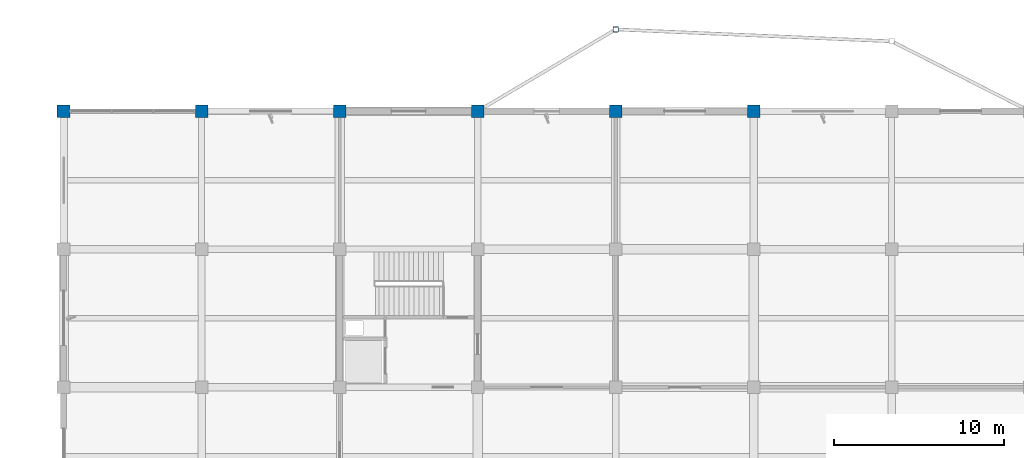
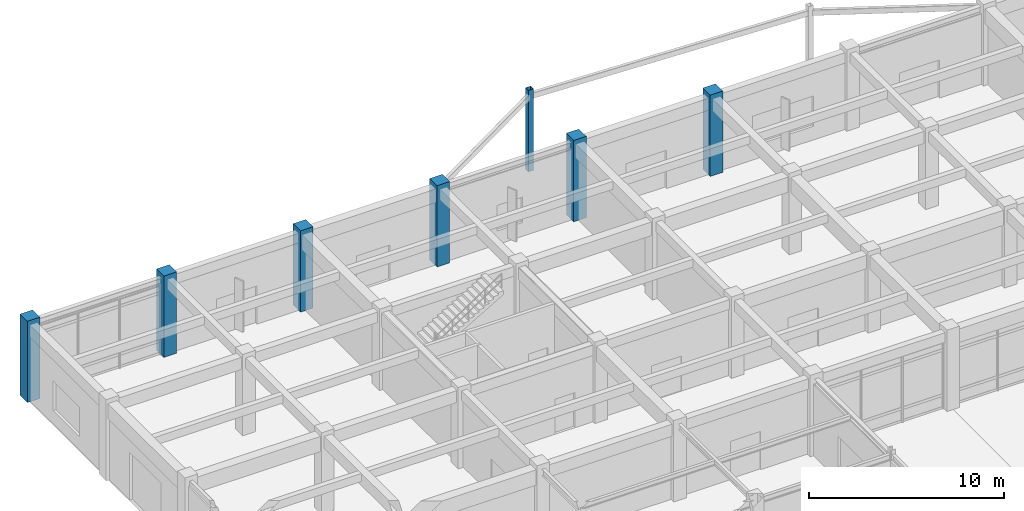
# One storey, part 18 of 99: 7 columns.
"""IFC4 building model written with IfcOpenShell, lengths in metres."""

import ifcopenshell
import ifcopenshell.guid

model = None  # the IFC model being written
_history = None  # IfcOwnerHistory: only IFC2X3 demands one
_inside = {}  # id of a spatial element -> (the spatial element, [elements in it])
_under = {}  # id of a project, library or spatial element -> (it, [spatial elements below it])
_declared = {}  # id of a project -> (the project, [libraries it declares])
_typed = {}  # id of a type object -> (the type object, [elements of that type])
_made_of = {}  # id of a material, layer set ... -> (it, [elements and type objects made of it])


def new_model(schema):
    """Start an empty IFC model of exactly this schema.

    Asked for "IFC4X3", IfcOpenShell would pick the latest addendum, in which some entities
    have other attributes; the version numbers below select the first issue.
    IFC2X3 requires an IfcOwnerHistory on every rooted entity: one is made here for all.
    """
    global model, _history
    if schema == "IFC4X3":
        model = ifcopenshell.file(schema_version=(4, 3, 0, 0))
    else:
        model = ifcopenshell.file(schema=schema)
    _inside.clear()
    _under.clear()
    _declared.clear()
    _typed.clear()
    _made_of.clear()
    _history = None
    if model.schema == "IFC2X3":
        org = make("IfcOrganization", Name="unknown")
        user = make(
            "IfcPersonAndOrganization",
            ThePerson=make("IfcPerson", FamilyName="unknown"),
            TheOrganization=org,
        )
        app = make(
            "IfcApplication",
            ApplicationDeveloper=org,
            Version="unknown",
            ApplicationFullName="unknown",
            ApplicationIdentifier="unknown",
        )
        _history = make(
            "IfcOwnerHistory",
            OwningUser=user,
            OwningApplication=app,
            ChangeAction="ADDED",
            CreationDate=0,
        )
    return model


def make(cls, **values):
    """One entity of the class cls with the attributes given. An attribute that is None is left unset."""
    return model.create_entity(
        cls, **{name: value for name, value in values.items() if value is not None}
    )


def rooted(cls, **values):
    """An entity with a GlobalId (a new one), such as an element, a storey or a relation."""
    return make(cls, GlobalId=ifcopenshell.guid.new(), OwnerHistory=_history, **values)


def si_unit(unit_type, name, prefix=None):
    """IfcSIUnit, for example si_unit("LENGTHUNIT", "METRE", prefix="MILLI")."""
    return make("IfcSIUnit", UnitType=unit_type, Prefix=prefix, Name=name)


def assignment(units):
    """IfcUnitAssignment: the units of a project."""
    return None if units is None else make("IfcUnitAssignment", Units=units)


def point(xyz):
    """IfcCartesianPoint."""
    return None if xyz is None else make("IfcCartesianPoint", Coordinates=xyz)


def direction(xyz):
    """IfcDirection."""
    return None if xyz is None else make("IfcDirection", DirectionRatios=xyz)


def frame(location, z_axis=None, x_axis=None):
    """IfcAxis2Placement3D, a coordinate frame: its origin and axes. An axis left out is left unset."""
    return make(
        "IfcAxis2Placement3D",
        Location=point(location),
        Axis=direction(z_axis),
        RefDirection=direction(x_axis),
    )


def frame_2d(location, x_axis=None):
    """IfcAxis2Placement2D, a coordinate frame in the plane: its origin and x axis."""
    return make(
        "IfcAxis2Placement2D", Location=point(location), RefDirection=direction(x_axis)
    )


def origin():
    """The frame at (0, 0, 0) with its axes left unset."""
    return frame((0.0, 0.0, 0.0))


def origin_2d():
    """The frame at (0, 0) in the plane with its x axis left unset."""
    return frame_2d((0.0, 0.0))


def place(relative_to, where):
    """IfcLocalPlacement: puts the frame where relative to a parent placement (None: the world)."""
    return make(
        "IfcLocalPlacement", PlacementRelTo=relative_to, RelativePlacement=where
    )


def context(
    kind, dimensions, precision=None, world=None, true_north=None, identifier=None
):
    """IfcGeometricRepresentationContext, for example the 3D "Model" context."""
    return make(
        "IfcGeometricRepresentationContext",
        ContextIdentifier=identifier,
        ContextType=kind,
        CoordinateSpaceDimension=dimensions,
        Precision=precision,
        WorldCoordinateSystem=world,
        TrueNorth=true_north,
    )


def subcontext(parent, identifier, kind, view, scale=None):
    """IfcGeometricRepresentationSubContext, for example "Body" below "Model"."""
    return make(
        "IfcGeometricRepresentationSubContext",
        ContextIdentifier=identifier,
        ContextType=kind,
        ParentContext=parent,
        TargetScale=scale,
        TargetView=view,
    )


def project(units=None, contexts=None):
    """IfcProject with its units and contexts."""
    return rooted(
        "IfcProject",
        Name="project",
        RepresentationContexts=contexts,
        UnitsInContext=assignment(units),
    )


def spatial(cls, under=None, at=None, **own):
    """A site, building, storey or space (cls), placed at a placement, below another one or the project."""
    s = rooted(cls, ObjectPlacement=at, **own)
    if under is not None:
        _under.setdefault(under.id(), (under, []))[1].append(s)
    return s


def profile(cls, at=None, kind="AREA", **sizes):
    """A parametric profile (cls). Its sizes go by their IFC names, for example OverallWidth=200.0."""
    return make(cls, ProfileType=kind, Position=at, **sizes)


def rectangle(**sizes):
    """IfcRectangleProfileDef."""
    return profile("IfcRectangleProfileDef", **sizes)


def hollow_rectangle(**sizes):
    """IfcRectangleHollowProfileDef."""
    return profile("IfcRectangleHollowProfileDef", **sizes)


def extrude(swept, where, along, depth):
    """IfcExtrudedAreaSolid: the profile swept, set in the frame where, extruded along a direction by depth."""
    return make(
        "IfcExtrudedAreaSolid",
        SweptArea=swept,
        Position=where,
        ExtrudedDirection=direction(along),
        Depth=depth,
    )


def shape(context_of_items, identifier, shape_type, items):
    """IfcShapeRepresentation: the items that make up one representation, for example the "Body"."""
    return make(
        "IfcShapeRepresentation",
        ContextOfItems=context_of_items,
        RepresentationIdentifier=identifier,
        RepresentationType=shape_type,
        Items=items,
    )


def material(Name=None, Category=None):
    """IfcMaterial."""
    return make("IfcMaterial", Name=Name, Category=Category)


def material_profile(
    of_material, cross_section, Name=None, Category=None, Priority=None
):
    """IfcMaterialProfile: a cross section and its material."""
    return make(
        "IfcMaterialProfile",
        Name=Name,
        Material=of_material,
        Profile=cross_section,
        Priority=Priority,
        Category=Category,
    )


def profile_set(profiles, Name=None, composite=None):
    """IfcMaterialProfileSet."""
    return make(
        "IfcMaterialProfileSet",
        Name=Name,
        MaterialProfiles=profiles,
        CompositeProfile=composite,
    )


def made_of(thing, what):
    """Note that an element or type object is made of a material, layer set ...; save() writes the relation."""
    if what is not None:
        _made_of.setdefault(what.id(), (what, []))[1].append(thing)
    return thing


def type_object(cls, material=None, **own):
    """A type object (cls), such as IfcWallType, which elements share."""
    return made_of(rooted(cls, **own), material)


def element(
    cls,
    number,
    at=None,
    inside=None,
    cuts=None,
    type_object=None,
    material=None,
    context=None,
    identifier="Body",
    shape_type=None,
    held_by="IfcProductDefinitionShape",
    body=None,
    shapes=None,
    **own,
):
    """One element of the class cls, such as IfcWall. Its Tag is "e" and its number.

    at: its placement. inside: the storey or other place that contains it. cuts: it is an
    opening in that element (IfcRelVoidsElement). A single representation is given by context,
    identifier, shape_type and body (its items); several are given by shapes. held_by: the class
    of the entity that holds the representations. save() writes the other relations.
    """
    e = rooted(cls, Tag="e%d" % number, ObjectPlacement=at, **own)
    if body is not None:
        shapes = [shape(context, identifier, shape_type, body)]
    if shapes is not None:
        e.Representation = make(held_by, Representations=shapes)
    if inside is not None:
        _inside.setdefault(inside.id(), (inside, []))[1].append(e)
    if cuts is not None:
        rooted(
            "IfcRelVoidsElement", RelatingBuildingElement=cuts, RelatedOpeningElement=e
        )
    if type_object is not None:
        _typed.setdefault(type_object.id(), (type_object, []))[1].append(e)
    return made_of(e, material)


def aggregate(whole, parts):
    """IfcRelAggregates: a whole, such as a stair, and the parts it consists of."""
    return rooted("IfcRelAggregates", RelatingObject=whole, RelatedObjects=parts)


def save(model, path):
    """Write the relations noted so far, then the file.

    IfcRelAggregates (storeys below a building ...), IfcRelContainedInSpatialStructure (elements
    in a storey), IfcRelDefinesByType, IfcRelAssociatesMaterial and IfcRelDeclares: one each for
    every whole, place, type object, material and project.
    """
    for whole, parts in _under.values():
        aggregate(whole, parts)
    for where, things in _inside.values():
        rooted(
            "IfcRelContainedInSpatialStructure",
            RelatedElements=things,
            RelatingStructure=where,
        )
    for kind, things in _typed.values():
        rooted("IfcRelDefinesByType", RelatedObjects=things, RelatingType=kind)
    for what, things in _made_of.values():
        rooted("IfcRelAssociatesMaterial", RelatedObjects=things, RelatingMaterial=what)
    for by, libraries in _declared.values():
        rooted("IfcRelDeclares", RelatingContext=by, RelatedDefinitions=libraries)
    model.write(path)


model = new_model("IFC4")

# Units and contexts
model_context = context("Model", 3, precision=1e-05, world=origin(), true_north=direction((0.0, 1.0)))
body_context = subcontext(model_context, "Body", "Model", "MODEL_VIEW")
ifc_project = project(units=[si_unit("LENGTHUNIT", "METRE"), si_unit("AREAUNIT", "SQUARE_METRE"), si_unit("VOLUMEUNIT", "CUBIC_METRE"), si_unit("PLANEANGLEUNIT", "RADIAN"), si_unit("MASSUNIT", "GRAM", prefix="KILO")], contexts=[model_context])

# Site, building, storey
site_placement = place(None, origin())
site = spatial("IfcSite", under=ifc_project, at=site_placement, CompositionType="ELEMENT")
building_placement = place(site_placement, origin())
building = spatial("IfcBuilding", under=site, at=building_placement, Name="Vaudrelin Polytechnic", CompositionType="ELEMENT")
storey_placement = place(building_placement, origin())
storey = spatial("IfcBuildingStorey", under=building, at=storey_placement, Name="L00", CompositionType="ELEMENT", Elevation=0.0)

# Columns
ifc_material_1 = material(Name="Steel CSA G40.21 350WT", Category="steel")
ifc_material_profile_1 = material_profile(ifc_material_1, hollow_rectangle(XDim=0.304931640625, YDim=0.304931640625, WallThickness=0.0126953125, InnerFilletRadius=0.0126953125, OuterFilletRadius=0.025390625, at=origin_2d()), Name="HSS305x305x12.7")
ifc_profile_set_1 = profile_set([ifc_material_profile_1], Name="Steel CSA G40.21 350WT")
column_type_1 = type_object("IfcColumnType", Name="COL-C-HSS305", PredefinedType="COLUMN", material=ifc_profile_set_1)
column_placement = place(storey_placement, frame((32.39990234375, 126.300048828125, 0.0), z_axis=(0.0, 0.0, 1.0), x_axis=(1.0, 0.0, 0.0)))
element("IfcColumn", 1, at=column_placement, inside=storey, type_object=column_type_1, Name="Deconstructivist column L00 N_OR1_1", PredefinedType="COLUMN", context=body_context, shape_type="SweptSolid", body=[
    extrude(hollow_rectangle(XDim=0.304931640625, YDim=0.304931640625, WallThickness=0.0126953125, InnerFilletRadius=0.0126953125, OuterFilletRadius=0.025390625, at=origin_2d()), origin(), (0.0, 0.0, 1.0), 5.10009765625),
])
ifc_material_2 = material(Name="Concrete 50 MPa", Category="concrete")
ifc_material_profile_2 = material_profile(ifc_material_2, rectangle(XDim=0.75, YDim=0.75, at=origin_2d()), Name="RC750x750")
ifc_profile_set_2 = profile_set([ifc_material_profile_2], Name="Concrete 50 MPa")
column_type_2 = type_object("IfcColumnType", Name="COL-C-RC750", PredefinedType="COLUMN", material=ifc_profile_set_2)
for number, where, z_axis, x_axis, name in (
    (2, (0.0, 121.5, 0.0), (0.0, 0.0, 1.0), (1.0, 0.0, 0.0), "Column L00 1-16"),
    (3, (8.10009765625, 121.5, 0.0), (0.0, 0.0, 1.0), (1.0, 0.0, 0.0), "Column L00 2-16"),
    (4, (16.199951171875, 121.5, 0.0), (0.0, 0.0, 1.0), (1.0, 0.0, 0.0), "Column L00 3-16"),
    (5, (24.300048828125, 121.5, 0.0), (0.0, 0.0, 1.0), (1.0, 0.0, 0.0), "Column L00 4-16"),
    (6, (32.39990234375, 121.5, 0.0), (0.0, 0.0, 1.0), (1.0, 0.0, 0.0), "Column L00 5-16"),
    (7, (40.5, 121.5, 0.0), (0.0, 0.0, 1.0), (1.0, 0.0, 0.0), "Column L00 6-16"),
):
    element("IfcColumn", number, at=place(storey_placement, frame(where, z_axis=z_axis, x_axis=x_axis)), inside=storey, type_object=column_type_2, Name=name, PredefinedType="COLUMN", context=body_context, shape_type="SweptSolid", body=[
        extrude(rectangle(XDim=0.75, YDim=0.75, at=origin_2d()), origin(), (0.0, 0.0, 1.0), 5.10009765625),
    ])

save(model, "model.ifc")
